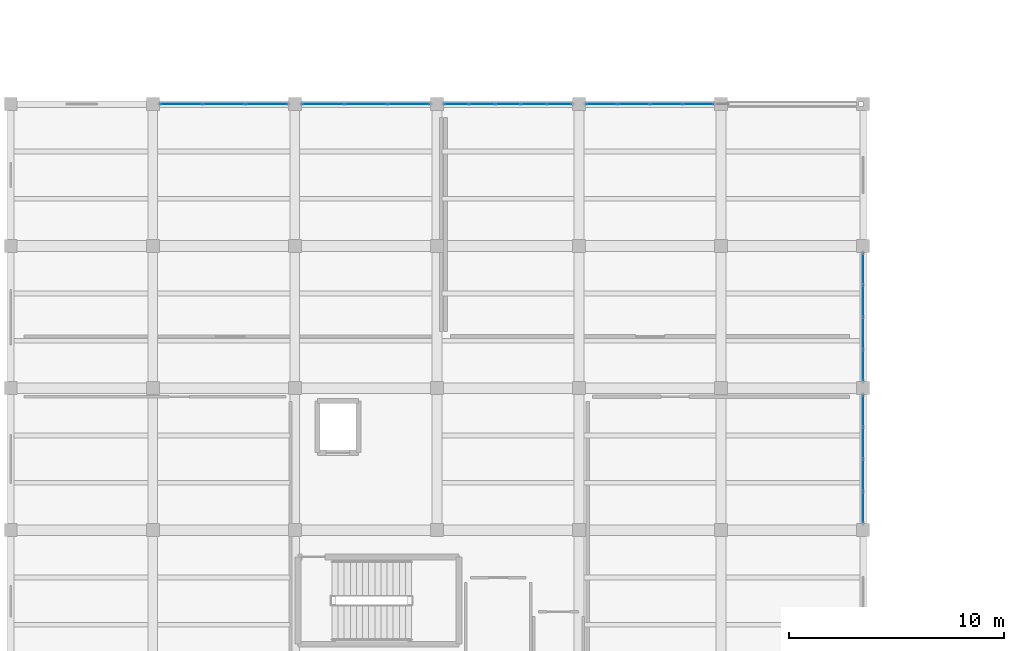
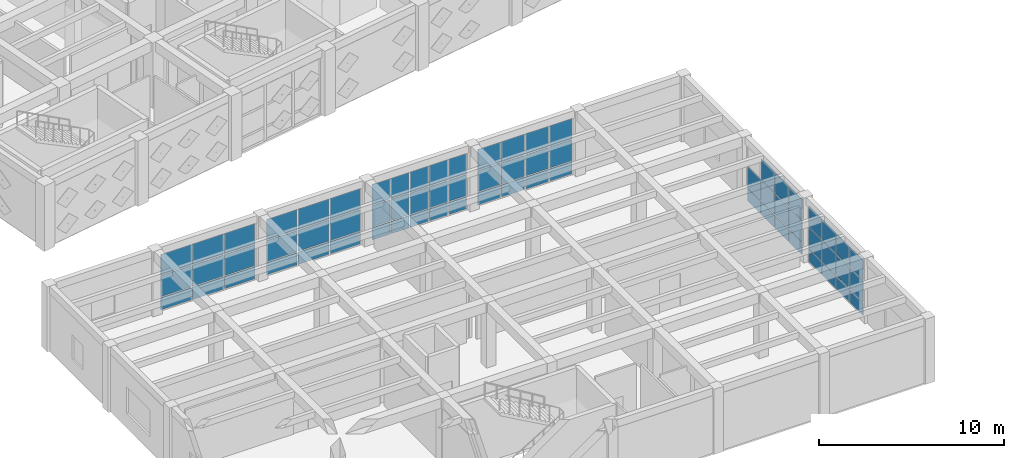
# One storey, part 52 of 80: 68 plates, 6 elements without a shape of their own.
"""IFC4 building model written with IfcOpenShell, lengths in metres."""

from ifc_helpers import new_model, si_unit, direction, frame, origin, origin_2d, place, context, subcontext, project, spatial, rectangle, extrude, material, layer, layer_set, type_object, element, aggregate, save


model = new_model("IFC4")

# Units and contexts
model_context = context("Model", 3, precision=1e-05, world=origin(), true_north=direction((0.0, 1.0)))
body_context = subcontext(model_context, "Body", "Model", "MODEL_VIEW")
ifc_project = project(units=[si_unit("LENGTHUNIT", "METRE"), si_unit("AREAUNIT", "SQUARE_METRE"), si_unit("VOLUMEUNIT", "CUBIC_METRE"), si_unit("PLANEANGLEUNIT", "RADIAN"), si_unit("MASSUNIT", "GRAM", prefix="KILO")], contexts=[model_context])

# Site, building, storey
site_placement = place(None, origin())
site = spatial("IfcSite", under=ifc_project, at=site_placement, CompositionType="ELEMENT")
building_placement = place(site_placement, origin())
building = spatial("IfcBuilding", under=site, at=building_placement, Name="Kharisveld Research Institute", CompositionType="ELEMENT")
storey_placement = place(building_placement, frame((0.0, 0.0, 5.10009765625)))
storey = spatial("IfcBuildingStorey", under=building, at=storey_placement, Name="L01", CompositionType="ELEMENT", Elevation=5.10009765625)

# Curtain wall, plates
ifc_material_1 = material(Name="Thermally Broken Aluminium Curtain Wall", Category="aluminium")
ifc_layer_1 = layer(ifc_material_1, 0.159912109375)
ifc_layer_set_1 = layer_set([ifc_layer_1], Name="CW_SYS_05")
curtain_wall_type_1 = type_object("IfcCurtainWallType", Name="CW_SYS_05", PredefinedType="NOTDEFINED", material=ifc_layer_set_1)
curtain_wall_1_placement = place(storey_placement, origin())
curtain_wall_1 = element("IfcCurtainWall", 1, at=curtain_wall_1_placement, inside=storey, type_object=curtain_wall_type_1, Name="CW:V3:L01:N1", PredefinedType="NOTDEFINED")
ifc_material_2 = material(Name="Low-E Double Glazing", Category="glass")
ifc_layer_2 = layer(ifc_material_2, 0.028076171875)
ifc_layer_set_2 = layer_set([ifc_layer_2], Name="CW_PNL_GLZ")
plate_type_1 = type_object("IfcPlateType", Name="CW_PNL_GLZ", PredefinedType="CURTAIN_PANEL", material=ifc_layer_set_2)
plate_1_placement = place(storey_placement, frame((8.512939453125, 26.60009765625, 0.059814453125), z_axis=(0.0, 0.0, 1.0), x_axis=(1.0, 0.0, 0.0)))
plate_1 = element("IfcPlate", 2, at=plate_1_placement, type_object=plate_type_1, Name="CW-05 panel 1.1", PredefinedType="CURTAIN_PANEL", context=body_context, shape_type="SweptSolid", body=[
    extrude(rectangle(XDim=1.90576171875, YDim=0.028076171875, at=origin_2d()), origin(), (0.0, 0.0, 1.0), 0.81005859375),
])
plate_2_placement = place(storey_placement, frame((8.512939453125, 26.60009765625, 0.93017578125), z_axis=(0.0, 0.0, 1.0), x_axis=(1.0, 0.0, 0.0)))
plate_2 = element("IfcPlate", 3, at=plate_2_placement, type_object=plate_type_1, Name="CW-05 panel 1.2", PredefinedType="CURTAIN_PANEL", context=body_context, shape_type="SweptSolid", body=[
    extrude(rectangle(XDim=1.90576171875, YDim=0.028076171875, at=origin_2d()), origin(), (0.0, 0.0, 1.0), 1.389892578125),
])
plate_3_placement = place(storey_placement, frame((8.512939453125, 26.60009765625, 2.3798828125), z_axis=(0.0, 0.0, 1.0), x_axis=(1.0, 0.0, 0.0)))
plate_3 = element("IfcPlate", 4, at=plate_3_placement, type_object=plate_type_1, Name="CW-05 panel 1.3", PredefinedType="CURTAIN_PANEL", context=body_context, shape_type="SweptSolid", body=[
    extrude(rectangle(XDim=1.90576171875, YDim=0.028076171875, at=origin_2d()), origin(), (0.0, 0.0, 1.0), 1.340087890625),
])
plate_4_placement = place(storey_placement, frame((10.5, 26.60009765625, 0.059814453125), z_axis=(0.0, 0.0, 1.0), x_axis=(1.0, 0.0, 0.0)))
plate_4 = element("IfcPlate", 5, at=plate_4_placement, type_object=plate_type_1, Name="CW-05 panel 2.1", PredefinedType="CURTAIN_PANEL", context=body_context, shape_type="SweptSolid", body=[
    extrude(rectangle(XDim=1.938232421875, YDim=0.028076171875, at=origin_2d()), origin(), (0.0, 0.0, 1.0), 0.81005859375),
])
plate_5_placement = place(storey_placement, frame((10.5, 26.60009765625, 0.93017578125), z_axis=(0.0, 0.0, 1.0), x_axis=(1.0, 0.0, 0.0)))
plate_5 = element("IfcPlate", 6, at=plate_5_placement, type_object=plate_type_1, Name="CW-05 panel 2.2", PredefinedType="CURTAIN_PANEL", context=body_context, shape_type="SweptSolid", body=[
    extrude(rectangle(XDim=1.938232421875, YDim=0.028076171875, at=origin_2d()), origin(), (0.0, 0.0, 1.0), 1.389892578125),
])
plate_6_placement = place(storey_placement, frame((10.5, 26.60009765625, 2.3798828125), z_axis=(0.0, 0.0, 1.0), x_axis=(1.0, 0.0, 0.0)))
plate_6 = element("IfcPlate", 7, at=plate_6_placement, type_object=plate_type_1, Name="CW-05 panel 2.3", PredefinedType="CURTAIN_PANEL", context=body_context, shape_type="SweptSolid", body=[
    extrude(rectangle(XDim=1.938232421875, YDim=0.028076171875, at=origin_2d()), origin(), (0.0, 0.0, 1.0), 1.340087890625),
])
plate_7_placement = place(storey_placement, frame((12.487060546875, 26.60009765625, 0.059814453125), z_axis=(0.0, 0.0, 1.0), x_axis=(1.0, 0.0, 0.0)))
plate_7 = element("IfcPlate", 8, at=plate_7_placement, type_object=plate_type_1, Name="CW-05 panel 3.1", PredefinedType="CURTAIN_PANEL", context=body_context, shape_type="SweptSolid", body=[
    extrude(rectangle(XDim=1.90576171875, YDim=0.028076171875, at=origin_2d()), origin(), (0.0, 0.0, 1.0), 0.81005859375),
])
plate_8_placement = place(storey_placement, frame((12.487060546875, 26.60009765625, 0.93017578125), z_axis=(0.0, 0.0, 1.0), x_axis=(1.0, 0.0, 0.0)))
plate_8 = element("IfcPlate", 9, at=plate_8_placement, type_object=plate_type_1, Name="CW-05 panel 3.2", PredefinedType="CURTAIN_PANEL", context=body_context, shape_type="SweptSolid", body=[
    extrude(rectangle(XDim=1.90576171875, YDim=0.028076171875, at=origin_2d()), origin(), (0.0, 0.0, 1.0), 1.389892578125),
])
plate_9_placement = place(storey_placement, frame((12.487060546875, 26.60009765625, 2.3798828125), z_axis=(0.0, 0.0, 1.0), x_axis=(1.0, 0.0, 0.0)))
plate_9 = element("IfcPlate", 10, at=plate_9_placement, type_object=plate_type_1, Name="CW-05 panel 3.3", PredefinedType="CURTAIN_PANEL", context=body_context, shape_type="SweptSolid", body=[
    extrude(rectangle(XDim=1.90576171875, YDim=0.028076171875, at=origin_2d()), origin(), (0.0, 0.0, 1.0), 1.340087890625),
])
aggregate(curtain_wall_1, [plate_1, plate_2, plate_3, plate_4, plate_5, plate_6, plate_7, plate_8, plate_9])

ifc_material_3 = material(Name="Thermally Broken Aluminium Curtain Wall", Category="aluminium")
ifc_layer_3 = layer(ifc_material_3, 0.159912109375)
ifc_layer_set_3 = layer_set([ifc_layer_3], Name="CW_SYS_06")
curtain_wall_type_2 = type_object("IfcCurtainWallType", Name="CW_SYS_06", PredefinedType="NOTDEFINED", material=ifc_layer_set_3)
curtain_wall_2_placement = place(storey_placement, origin())
curtain_wall_2 = element("IfcCurtainWall", 11, at=curtain_wall_2_placement, inside=storey, type_object=curtain_wall_type_2, Name="CW:V3:L01:N2", PredefinedType="NOTDEFINED")
plate_10_placement = place(storey_placement, frame((15.113037109375, 26.60009765625, 0.059814453125), z_axis=(0.0, 0.0, 1.0), x_axis=(1.0, 0.0, 0.0)))
plate_10 = element("IfcPlate", 12, at=plate_10_placement, type_object=plate_type_1, Name="CW-06 panel 1.1", PredefinedType="CURTAIN_PANEL", context=body_context, shape_type="SweptSolid", body=[
    extrude(rectangle(XDim=1.90576171875, YDim=0.028076171875, at=origin_2d()), origin(), (0.0, 0.0, 1.0), 0.81005859375),
])
plate_11_placement = place(storey_placement, frame((15.113037109375, 26.60009765625, 0.93017578125), z_axis=(0.0, 0.0, 1.0), x_axis=(1.0, 0.0, 0.0)))
plate_11 = element("IfcPlate", 13, at=plate_11_placement, type_object=plate_type_1, Name="CW-06 panel 1.2", PredefinedType="CURTAIN_PANEL", context=body_context, shape_type="SweptSolid", body=[
    extrude(rectangle(XDim=1.90576171875, YDim=0.028076171875, at=origin_2d()), origin(), (0.0, 0.0, 1.0), 1.389892578125),
])
plate_12_placement = place(storey_placement, frame((15.113037109375, 26.60009765625, 2.3798828125), z_axis=(0.0, 0.0, 1.0), x_axis=(1.0, 0.0, 0.0)))
plate_12 = element("IfcPlate", 14, at=plate_12_placement, type_object=plate_type_1, Name="CW-06 panel 1.3", PredefinedType="CURTAIN_PANEL", context=body_context, shape_type="SweptSolid", body=[
    extrude(rectangle(XDim=1.90576171875, YDim=0.028076171875, at=origin_2d()), origin(), (0.0, 0.0, 1.0), 1.340087890625),
])
plate_13_placement = place(storey_placement, frame((17.10009765625, 26.60009765625, 0.059814453125), z_axis=(0.0, 0.0, 1.0), x_axis=(1.0, 0.0, 0.0)))
plate_13 = element("IfcPlate", 15, at=plate_13_placement, type_object=plate_type_1, Name="CW-06 panel 2.1", PredefinedType="CURTAIN_PANEL", context=body_context, shape_type="SweptSolid", body=[
    extrude(rectangle(XDim=1.938232421875, YDim=0.028076171875, at=origin_2d()), origin(), (0.0, 0.0, 1.0), 0.81005859375),
])
plate_14_placement = place(storey_placement, frame((17.10009765625, 26.60009765625, 0.93017578125), z_axis=(0.0, 0.0, 1.0), x_axis=(1.0, 0.0, 0.0)))
plate_14 = element("IfcPlate", 16, at=plate_14_placement, type_object=plate_type_1, Name="CW-06 panel 2.2", PredefinedType="CURTAIN_PANEL", context=body_context, shape_type="SweptSolid", body=[
    extrude(rectangle(XDim=1.938232421875, YDim=0.028076171875, at=origin_2d()), origin(), (0.0, 0.0, 1.0), 1.389892578125),
])
plate_15_placement = place(storey_placement, frame((17.10009765625, 26.60009765625, 2.3798828125), z_axis=(0.0, 0.0, 1.0), x_axis=(1.0, 0.0, 0.0)))
plate_15 = element("IfcPlate", 17, at=plate_15_placement, type_object=plate_type_1, Name="CW-06 panel 2.3", PredefinedType="CURTAIN_PANEL", context=body_context, shape_type="SweptSolid", body=[
    extrude(rectangle(XDim=1.938232421875, YDim=0.028076171875, at=origin_2d()), origin(), (0.0, 0.0, 1.0), 1.340087890625),
])
plate_16_placement = place(storey_placement, frame((19.087158203125, 26.60009765625, 0.059814453125), z_axis=(0.0, 0.0, 1.0), x_axis=(1.0, 0.0, 0.0)))
plate_16 = element("IfcPlate", 18, at=plate_16_placement, type_object=plate_type_1, Name="CW-06 panel 3.1", PredefinedType="CURTAIN_PANEL", context=body_context, shape_type="SweptSolid", body=[
    extrude(rectangle(XDim=1.90576171875, YDim=0.028076171875, at=origin_2d()), origin(), (0.0, 0.0, 1.0), 0.81005859375),
])
plate_17_placement = place(storey_placement, frame((19.087158203125, 26.60009765625, 0.93017578125), z_axis=(0.0, 0.0, 1.0), x_axis=(1.0, 0.0, 0.0)))
plate_17 = element("IfcPlate", 19, at=plate_17_placement, type_object=plate_type_1, Name="CW-06 panel 3.2", PredefinedType="CURTAIN_PANEL", context=body_context, shape_type="SweptSolid", body=[
    extrude(rectangle(XDim=1.90576171875, YDim=0.028076171875, at=origin_2d()), origin(), (0.0, 0.0, 1.0), 1.389892578125),
])
plate_18_placement = place(storey_placement, frame((19.087158203125, 26.60009765625, 2.3798828125), z_axis=(0.0, 0.0, 1.0), x_axis=(1.0, 0.0, 0.0)))
plate_18 = element("IfcPlate", 20, at=plate_18_placement, type_object=plate_type_1, Name="CW-06 panel 3.3", PredefinedType="CURTAIN_PANEL", context=body_context, shape_type="SweptSolid", body=[
    extrude(rectangle(XDim=1.90576171875, YDim=0.028076171875, at=origin_2d()), origin(), (0.0, 0.0, 1.0), 1.340087890625),
])
aggregate(curtain_wall_2, [plate_10, plate_11, plate_12, plate_13, plate_14, plate_15, plate_16, plate_17, plate_18])

ifc_material_4 = material(Name="Thermally Broken Aluminium Curtain Wall", Category="aluminium")
ifc_layer_4 = layer(ifc_material_4, 0.159912109375)
ifc_layer_set_4 = layer_set([ifc_layer_4], Name="CW_SYS_01")
curtain_wall_type_3 = type_object("IfcCurtainWallType", Name="CW_SYS_01", PredefinedType="NOTDEFINED", material=ifc_layer_set_4)
curtain_wall_3_placement = place(storey_placement, origin())
curtain_wall_3 = element("IfcCurtainWall", 21, at=curtain_wall_3_placement, inside=storey, type_object=curtain_wall_type_3, Name="CW:V3:L01:N3", PredefinedType="NOTDEFINED")
plate_19_placement = place(storey_placement, frame((21.312255859375, 26.60009765625, 0.059814453125), z_axis=(0.0, 0.0, 1.0), x_axis=(1.0, 0.0, 0.0)))
plate_19 = element("IfcPlate", 22, at=plate_19_placement, type_object=plate_type_1, Name="CW-01 panel 1.1", PredefinedType="CURTAIN_PANEL", context=body_context, shape_type="SweptSolid", body=[
    extrude(rectangle(XDim=1.1044921875, YDim=0.028076171875, at=origin_2d()), origin(), (0.0, 0.0, 1.0), 0.81005859375),
])
plate_20_placement = place(storey_placement, frame((21.312255859375, 26.60009765625, 0.93017578125), z_axis=(0.0, 0.0, 1.0), x_axis=(1.0, 0.0, 0.0)))
plate_20 = element("IfcPlate", 23, at=plate_20_placement, type_object=plate_type_1, Name="CW-01 panel 1.2", PredefinedType="CURTAIN_PANEL", context=body_context, shape_type="SweptSolid", body=[
    extrude(rectangle(XDim=1.1044921875, YDim=0.028076171875, at=origin_2d()), origin(), (0.0, 0.0, 1.0), 1.389892578125),
])
plate_21_placement = place(storey_placement, frame((21.312255859375, 26.60009765625, 2.3798828125), z_axis=(0.0, 0.0, 1.0), x_axis=(1.0, 0.0, 0.0)))
plate_21 = element("IfcPlate", 24, at=plate_21_placement, type_object=plate_type_1, Name="CW-01 panel 1.3", PredefinedType="CURTAIN_PANEL", context=body_context, shape_type="SweptSolid", body=[
    extrude(rectangle(XDim=1.1044921875, YDim=0.028076171875, at=origin_2d()), origin(), (0.0, 0.0, 1.0), 1.340087890625),
])
plate_22_placement = place(storey_placement, frame((22.498046875, 26.60009765625, 0.059814453125), z_axis=(0.0, 0.0, 1.0), x_axis=(1.0, 0.0, 0.0)))
plate_22 = element("IfcPlate", 25, at=plate_22_placement, type_object=plate_type_1, Name="CW-01 panel 2.1", PredefinedType="CURTAIN_PANEL", context=body_context, shape_type="SweptSolid", body=[
    extrude(rectangle(XDim=1.136962890625, YDim=0.028076171875, at=origin_2d()), origin(), (0.0, 0.0, 1.0), 0.81005859375),
])
plate_23_placement = place(storey_placement, frame((22.498046875, 26.60009765625, 0.93017578125), z_axis=(0.0, 0.0, 1.0), x_axis=(1.0, 0.0, 0.0)))
plate_23 = element("IfcPlate", 26, at=plate_23_placement, type_object=plate_type_1, Name="CW-01 panel 2.2", PredefinedType="CURTAIN_PANEL", context=body_context, shape_type="SweptSolid", body=[
    extrude(rectangle(XDim=1.136962890625, YDim=0.028076171875, at=origin_2d()), origin(), (0.0, 0.0, 1.0), 1.389892578125),
])
plate_24_placement = place(storey_placement, frame((22.498046875, 26.60009765625, 2.3798828125), z_axis=(0.0, 0.0, 1.0), x_axis=(1.0, 0.0, 0.0)))
plate_24 = element("IfcPlate", 27, at=plate_24_placement, type_object=plate_type_1, Name="CW-01 panel 2.3", PredefinedType="CURTAIN_PANEL", context=body_context, shape_type="SweptSolid", body=[
    extrude(rectangle(XDim=1.136962890625, YDim=0.028076171875, at=origin_2d()), origin(), (0.0, 0.0, 1.0), 1.340087890625),
])
plate_25_placement = place(storey_placement, frame((23.699951171875, 26.60009765625, 0.059814453125), z_axis=(0.0, 0.0, 1.0), x_axis=(1.0, 0.0, 0.0)))
plate_25 = element("IfcPlate", 28, at=plate_25_placement, type_object=plate_type_1, Name="CW-01 panel 3.1", PredefinedType="CURTAIN_PANEL", context=body_context, shape_type="SweptSolid", body=[
    extrude(rectangle(XDim=1.136962890625, YDim=0.028076171875, at=origin_2d()), origin(), (0.0, 0.0, 1.0), 0.81005859375),
])
plate_26_placement = place(storey_placement, frame((23.699951171875, 26.60009765625, 0.93017578125), z_axis=(0.0, 0.0, 1.0), x_axis=(1.0, 0.0, 0.0)))
plate_26 = element("IfcPlate", 29, at=plate_26_placement, type_object=plate_type_1, Name="CW-01 panel 3.2", PredefinedType="CURTAIN_PANEL", context=body_context, shape_type="SweptSolid", body=[
    extrude(rectangle(XDim=1.136962890625, YDim=0.028076171875, at=origin_2d()), origin(), (0.0, 0.0, 1.0), 1.389892578125),
])
plate_27_placement = place(storey_placement, frame((23.699951171875, 26.60009765625, 2.3798828125), z_axis=(0.0, 0.0, 1.0), x_axis=(1.0, 0.0, 0.0)))
plate_27 = element("IfcPlate", 30, at=plate_27_placement, type_object=plate_type_1, Name="CW-01 panel 3.3", PredefinedType="CURTAIN_PANEL", context=body_context, shape_type="SweptSolid", body=[
    extrude(rectangle(XDim=1.136962890625, YDim=0.028076171875, at=origin_2d()), origin(), (0.0, 0.0, 1.0), 1.340087890625),
])
plate_28_placement = place(storey_placement, frame((24.902099609375, 26.60009765625, 0.059814453125), z_axis=(0.0, 0.0, 1.0), x_axis=(1.0, 0.0, 0.0)))
plate_28 = element("IfcPlate", 31, at=plate_28_placement, type_object=plate_type_1, Name="CW-01 panel 4.1", PredefinedType="CURTAIN_PANEL", context=body_context, shape_type="SweptSolid", body=[
    extrude(rectangle(XDim=1.136962890625, YDim=0.028076171875, at=origin_2d()), origin(), (0.0, 0.0, 1.0), 0.81005859375),
])
plate_29_placement = place(storey_placement, frame((24.902099609375, 26.60009765625, 0.93017578125), z_axis=(0.0, 0.0, 1.0), x_axis=(1.0, 0.0, 0.0)))
plate_29 = element("IfcPlate", 32, at=plate_29_placement, type_object=plate_type_1, Name="CW-01 panel 4.2", PredefinedType="CURTAIN_PANEL", context=body_context, shape_type="SweptSolid", body=[
    extrude(rectangle(XDim=1.136962890625, YDim=0.028076171875, at=origin_2d()), origin(), (0.0, 0.0, 1.0), 1.389892578125),
])
plate_30_placement = place(storey_placement, frame((24.902099609375, 26.60009765625, 2.3798828125), z_axis=(0.0, 0.0, 1.0), x_axis=(1.0, 0.0, 0.0)))
plate_30 = element("IfcPlate", 33, at=plate_30_placement, type_object=plate_type_1, Name="CW-01 panel 4.3", PredefinedType="CURTAIN_PANEL", context=body_context, shape_type="SweptSolid", body=[
    extrude(rectangle(XDim=1.136962890625, YDim=0.028076171875, at=origin_2d()), origin(), (0.0, 0.0, 1.0), 1.340087890625),
])
plate_31_placement = place(storey_placement, frame((26.087646484375, 26.60009765625, 0.059814453125), z_axis=(0.0, 0.0, 1.0), x_axis=(1.0, 0.0, 0.0)))
plate_31 = element("IfcPlate", 34, at=plate_31_placement, type_object=plate_type_1, Name="CW-01 panel 5.1", PredefinedType="CURTAIN_PANEL", context=body_context, shape_type="SweptSolid", body=[
    extrude(rectangle(XDim=1.1044921875, YDim=0.028076171875, at=origin_2d()), origin(), (0.0, 0.0, 1.0), 0.81005859375),
])
plate_32_placement = place(storey_placement, frame((26.087646484375, 26.60009765625, 0.93017578125), z_axis=(0.0, 0.0, 1.0), x_axis=(1.0, 0.0, 0.0)))
plate_32 = element("IfcPlate", 35, at=plate_32_placement, type_object=plate_type_1, Name="CW-01 panel 5.2", PredefinedType="CURTAIN_PANEL", context=body_context, shape_type="SweptSolid", body=[
    extrude(rectangle(XDim=1.1044921875, YDim=0.028076171875, at=origin_2d()), origin(), (0.0, 0.0, 1.0), 1.389892578125),
])
plate_33_placement = place(storey_placement, frame((26.087646484375, 26.60009765625, 2.3798828125), z_axis=(0.0, 0.0, 1.0), x_axis=(1.0, 0.0, 0.0)))
plate_33 = element("IfcPlate", 36, at=plate_33_placement, type_object=plate_type_1, Name="CW-01 panel 5.3", PredefinedType="CURTAIN_PANEL", context=body_context, shape_type="SweptSolid", body=[
    extrude(rectangle(XDim=1.1044921875, YDim=0.028076171875, at=origin_2d()), origin(), (0.0, 0.0, 1.0), 1.340087890625),
])
aggregate(curtain_wall_3, [plate_19, plate_20, plate_21, plate_22, plate_23, plate_24, plate_25, plate_26, plate_27, plate_28, plate_29, plate_30, plate_31, plate_32, plate_33])

ifc_material_5 = material(Name="Thermally Broken Aluminium Curtain Wall", Category="aluminium")
ifc_layer_5 = layer(ifc_material_5, 0.159912109375)
ifc_layer_set_5 = layer_set([ifc_layer_5], Name="CW_SYS_02")
curtain_wall_type_4 = type_object("IfcCurtainWallType", Name="CW_SYS_02", PredefinedType="NOTDEFINED", material=ifc_layer_set_5)
curtain_wall_4_placement = place(storey_placement, origin())
curtain_wall_4 = element("IfcCurtainWall", 37, at=curtain_wall_4_placement, inside=storey, type_object=curtain_wall_type_4, Name="CW:V3:L01:N4", PredefinedType="NOTDEFINED")
plate_34_placement = place(storey_placement, frame((28.0625, 26.60009765625, 0.059814453125), z_axis=(0.0, 0.0, 1.0), x_axis=(1.0, 0.0, 0.0)))
plate_34 = element("IfcPlate", 38, at=plate_34_placement, type_object=plate_type_1, Name="CW-02 panel 1.1", PredefinedType="CURTAIN_PANEL", context=body_context, shape_type="SweptSolid", body=[
    extrude(rectangle(XDim=1.405029296875, YDim=0.028076171875, at=origin_2d()), origin(), (0.0, 0.0, 1.0), 0.81005859375),
])
plate_35_placement = place(storey_placement, frame((28.0625, 26.60009765625, 0.93017578125), z_axis=(0.0, 0.0, 1.0), x_axis=(1.0, 0.0, 0.0)))
plate_35 = element("IfcPlate", 39, at=plate_35_placement, type_object=plate_type_1, Name="CW-02 panel 1.2", PredefinedType="CURTAIN_PANEL", context=body_context, shape_type="SweptSolid", body=[
    extrude(rectangle(XDim=1.405029296875, YDim=0.028076171875, at=origin_2d()), origin(), (0.0, 0.0, 1.0), 1.389892578125),
])
plate_36_placement = place(storey_placement, frame((28.0625, 26.60009765625, 2.3798828125), z_axis=(0.0, 0.0, 1.0), x_axis=(1.0, 0.0, 0.0)))
plate_36 = element("IfcPlate", 40, at=plate_36_placement, type_object=plate_type_1, Name="CW-02 panel 1.3", PredefinedType="CURTAIN_PANEL", context=body_context, shape_type="SweptSolid", body=[
    extrude(rectangle(XDim=1.405029296875, YDim=0.028076171875, at=origin_2d()), origin(), (0.0, 0.0, 1.0), 1.340087890625),
])
plate_37_placement = place(storey_placement, frame((29.548828125, 26.60009765625, 0.059814453125), z_axis=(0.0, 0.0, 1.0), x_axis=(1.0, 0.0, 0.0)))
plate_37 = element("IfcPlate", 41, at=plate_37_placement, type_object=plate_type_1, Name="CW-02 panel 2.1", PredefinedType="CURTAIN_PANEL", context=body_context, shape_type="SweptSolid", body=[
    extrude(rectangle(XDim=1.4375, YDim=0.028076171875, at=origin_2d()), origin(), (0.0, 0.0, 1.0), 0.81005859375),
])
plate_38_placement = place(storey_placement, frame((29.548828125, 26.60009765625, 0.93017578125), z_axis=(0.0, 0.0, 1.0), x_axis=(1.0, 0.0, 0.0)))
plate_38 = element("IfcPlate", 42, at=plate_38_placement, type_object=plate_type_1, Name="CW-02 panel 2.2", PredefinedType="CURTAIN_PANEL", context=body_context, shape_type="SweptSolid", body=[
    extrude(rectangle(XDim=1.4375, YDim=0.028076171875, at=origin_2d()), origin(), (0.0, 0.0, 1.0), 1.389892578125),
])
plate_39_placement = place(storey_placement, frame((29.548828125, 26.60009765625, 2.3798828125), z_axis=(0.0, 0.0, 1.0), x_axis=(1.0, 0.0, 0.0)))
plate_39 = element("IfcPlate", 43, at=plate_39_placement, type_object=plate_type_1, Name="CW-02 panel 2.3", PredefinedType="CURTAIN_PANEL", context=body_context, shape_type="SweptSolid", body=[
    extrude(rectangle(XDim=1.4375, YDim=0.028076171875, at=origin_2d()), origin(), (0.0, 0.0, 1.0), 1.340087890625),
])
plate_40_placement = place(storey_placement, frame((31.05126953125, 26.60009765625, 0.059814453125), z_axis=(0.0, 0.0, 1.0), x_axis=(1.0, 0.0, 0.0)))
plate_40 = element("IfcPlate", 44, at=plate_40_placement, type_object=plate_type_1, Name="CW-02 panel 3.1", PredefinedType="CURTAIN_PANEL", context=body_context, shape_type="SweptSolid", body=[
    extrude(rectangle(XDim=1.4375, YDim=0.028076171875, at=origin_2d()), origin(), (0.0, 0.0, 1.0), 0.81005859375),
])
plate_41_placement = place(storey_placement, frame((31.05126953125, 26.60009765625, 0.93017578125), z_axis=(0.0, 0.0, 1.0), x_axis=(1.0, 0.0, 0.0)))
plate_41 = element("IfcPlate", 45, at=plate_41_placement, type_object=plate_type_1, Name="CW-02 panel 3.2", PredefinedType="CURTAIN_PANEL", context=body_context, shape_type="SweptSolid", body=[
    extrude(rectangle(XDim=1.4375, YDim=0.028076171875, at=origin_2d()), origin(), (0.0, 0.0, 1.0), 1.389892578125),
])
plate_42_placement = place(storey_placement, frame((31.05126953125, 26.60009765625, 2.3798828125), z_axis=(0.0, 0.0, 1.0), x_axis=(1.0, 0.0, 0.0)))
plate_42 = element("IfcPlate", 46, at=plate_42_placement, type_object=plate_type_1, Name="CW-02 panel 3.3", PredefinedType="CURTAIN_PANEL", context=body_context, shape_type="SweptSolid", body=[
    extrude(rectangle(XDim=1.4375, YDim=0.028076171875, at=origin_2d()), origin(), (0.0, 0.0, 1.0), 1.340087890625),
])
plate_43_placement = place(storey_placement, frame((32.53759765625, 26.60009765625, 0.059814453125), z_axis=(0.0, 0.0, 1.0), x_axis=(1.0, 0.0, 0.0)))
plate_43 = element("IfcPlate", 47, at=plate_43_placement, type_object=plate_type_1, Name="CW-02 panel 4.1", PredefinedType="CURTAIN_PANEL", context=body_context, shape_type="SweptSolid", body=[
    extrude(rectangle(XDim=1.405029296875, YDim=0.028076171875, at=origin_2d()), origin(), (0.0, 0.0, 1.0), 0.81005859375),
])
plate_44_placement = place(storey_placement, frame((32.53759765625, 26.60009765625, 0.93017578125), z_axis=(0.0, 0.0, 1.0), x_axis=(1.0, 0.0, 0.0)))
plate_44 = element("IfcPlate", 48, at=plate_44_placement, type_object=plate_type_1, Name="CW-02 panel 4.2", PredefinedType="CURTAIN_PANEL", context=body_context, shape_type="SweptSolid", body=[
    extrude(rectangle(XDim=1.405029296875, YDim=0.028076171875, at=origin_2d()), origin(), (0.0, 0.0, 1.0), 1.389892578125),
])
plate_45_placement = place(storey_placement, frame((32.53759765625, 26.60009765625, 2.3798828125), z_axis=(0.0, 0.0, 1.0), x_axis=(1.0, 0.0, 0.0)))
plate_45 = element("IfcPlate", 49, at=plate_45_placement, type_object=plate_type_1, Name="CW-02 panel 4.3", PredefinedType="CURTAIN_PANEL", context=body_context, shape_type="SweptSolid", body=[
    extrude(rectangle(XDim=1.405029296875, YDim=0.028076171875, at=origin_2d()), origin(), (0.0, 0.0, 1.0), 1.340087890625),
])
aggregate(curtain_wall_4, [plate_34, plate_35, plate_36, plate_37, plate_38, plate_39, plate_40, plate_41, plate_42, plate_43, plate_44, plate_45])

ifc_material_6 = material(Name="Thermally Broken Aluminium Curtain Wall", Category="aluminium")
ifc_layer_6 = layer(ifc_material_6, 0.159912109375)
ifc_layer_set_6 = layer_set([ifc_layer_6], Name="CW_SYS_04")
curtain_wall_type_5 = type_object("IfcCurtainWallType", Name="CW_SYS_04", PredefinedType="NOTDEFINED", material=ifc_layer_set_6)
curtain_wall_5_placement = place(storey_placement, origin())
curtain_wall_5 = element("IfcCurtainWall", 50, at=curtain_wall_5_placement, inside=storey, type_object=curtain_wall_type_5, Name="CW:V3:L01:E2", PredefinedType="NOTDEFINED")
plate_46_placement = place(storey_placement, frame((40.199951171875, 12.33740234375, 0.059814453125), z_axis=(0.0, 0.0, 1.0), x_axis=(0.0, -1.0, 0.0)))
plate_46 = element("IfcPlate", 51, at=plate_46_placement, type_object=plate_type_1, Name="CW-04 panel 1.1", PredefinedType="CURTAIN_PANEL", context=body_context, shape_type="SweptSolid", body=[
    extrude(rectangle(XDim=1.405029296875, YDim=0.028076171875, at=origin_2d()), origin(), (0.0, 0.0, 1.0), 0.81005859375),
])
plate_47_placement = place(storey_placement, frame((40.199951171875, 12.33740234375, 0.93017578125), z_axis=(0.0, 0.0, 1.0), x_axis=(0.0, -1.0, 0.0)))
plate_47 = element("IfcPlate", 52, at=plate_47_placement, type_object=plate_type_1, Name="CW-04 panel 1.2", PredefinedType="CURTAIN_PANEL", context=body_context, shape_type="SweptSolid", body=[
    extrude(rectangle(XDim=1.405029296875, YDim=0.028076171875, at=origin_2d()), origin(), (0.0, 0.0, 1.0), 1.389892578125),
])
plate_48_placement = place(storey_placement, frame((40.199951171875, 12.33740234375, 2.3798828125), z_axis=(0.0, 0.0, 1.0), x_axis=(0.0, -1.0, 0.0)))
plate_48 = element("IfcPlate", 53, at=plate_48_placement, type_object=plate_type_1, Name="CW-04 panel 1.3", PredefinedType="CURTAIN_PANEL", context=body_context, shape_type="SweptSolid", body=[
    extrude(rectangle(XDim=1.405029296875, YDim=0.028076171875, at=origin_2d()), origin(), (0.0, 0.0, 1.0), 1.340087890625),
])
plate_49_placement = place(storey_placement, frame((40.199951171875, 10.851318359375, 0.059814453125), z_axis=(0.0, 0.0, 1.0), x_axis=(0.0, -1.0, 0.0)))
plate_49 = element("IfcPlate", 54, at=plate_49_placement, type_object=plate_type_1, Name="CW-04 panel 2.1", PredefinedType="CURTAIN_PANEL", context=body_context, shape_type="SweptSolid", body=[
    extrude(rectangle(XDim=1.4375, YDim=0.028076171875, at=origin_2d()), origin(), (0.0, 0.0, 1.0), 0.81005859375),
])
plate_50_placement = place(storey_placement, frame((40.199951171875, 10.851318359375, 0.93017578125), z_axis=(0.0, 0.0, 1.0), x_axis=(0.0, -1.0, 0.0)))
plate_50 = element("IfcPlate", 55, at=plate_50_placement, type_object=plate_type_1, Name="CW-04 panel 2.2", PredefinedType="CURTAIN_PANEL", context=body_context, shape_type="SweptSolid", body=[
    extrude(rectangle(XDim=1.4375, YDim=0.028076171875, at=origin_2d()), origin(), (0.0, 0.0, 1.0), 1.389892578125),
])
plate_51_placement = place(storey_placement, frame((40.199951171875, 10.851318359375, 2.3798828125), z_axis=(0.0, 0.0, 1.0), x_axis=(0.0, -1.0, 0.0)))
plate_51 = element("IfcPlate", 56, at=plate_51_placement, type_object=plate_type_1, Name="CW-04 panel 2.3", PredefinedType="CURTAIN_PANEL", context=body_context, shape_type="SweptSolid", body=[
    extrude(rectangle(XDim=1.4375, YDim=0.028076171875, at=origin_2d()), origin(), (0.0, 0.0, 1.0), 1.340087890625),
])
plate_52_placement = place(storey_placement, frame((40.199951171875, 9.3486328125, 0.059814453125), z_axis=(0.0, 0.0, 1.0), x_axis=(0.0, -1.0, 0.0)))
plate_52 = element("IfcPlate", 57, at=plate_52_placement, type_object=plate_type_1, Name="CW-04 panel 3.1", PredefinedType="CURTAIN_PANEL", context=body_context, shape_type="SweptSolid", body=[
    extrude(rectangle(XDim=1.4375, YDim=0.028076171875, at=origin_2d()), origin(), (0.0, 0.0, 1.0), 0.81005859375),
])
plate_53_placement = place(storey_placement, frame((40.199951171875, 9.3486328125, 0.93017578125), z_axis=(0.0, 0.0, 1.0), x_axis=(0.0, -1.0, 0.0)))
plate_53 = element("IfcPlate", 58, at=plate_53_placement, type_object=plate_type_1, Name="CW-04 panel 3.2", PredefinedType="CURTAIN_PANEL", context=body_context, shape_type="SweptSolid", body=[
    extrude(rectangle(XDim=1.4375, YDim=0.028076171875, at=origin_2d()), origin(), (0.0, 0.0, 1.0), 1.389892578125),
])
plate_54_placement = place(storey_placement, frame((40.199951171875, 9.3486328125, 2.3798828125), z_axis=(0.0, 0.0, 1.0), x_axis=(0.0, -1.0, 0.0)))
plate_54 = element("IfcPlate", 59, at=plate_54_placement, type_object=plate_type_1, Name="CW-04 panel 3.3", PredefinedType="CURTAIN_PANEL", context=body_context, shape_type="SweptSolid", body=[
    extrude(rectangle(XDim=1.4375, YDim=0.028076171875, at=origin_2d()), origin(), (0.0, 0.0, 1.0), 1.340087890625),
])
plate_55_placement = place(storey_placement, frame((40.199951171875, 7.862548828125, 0.059814453125), z_axis=(0.0, 0.0, 1.0), x_axis=(0.0, -1.0, 0.0)))
plate_55 = element("IfcPlate", 60, at=plate_55_placement, type_object=plate_type_1, Name="CW-04 panel 4.1", PredefinedType="CURTAIN_PANEL", context=body_context, shape_type="SweptSolid", body=[
    extrude(rectangle(XDim=1.405029296875, YDim=0.028076171875, at=origin_2d()), origin(), (0.0, 0.0, 1.0), 0.81005859375),
])
plate_56_placement = place(storey_placement, frame((40.199951171875, 7.862548828125, 0.93017578125), z_axis=(0.0, 0.0, 1.0), x_axis=(0.0, -1.0, 0.0)))
plate_56 = element("IfcPlate", 61, at=plate_56_placement, type_object=plate_type_1, Name="CW-04 panel 4.2", PredefinedType="CURTAIN_PANEL", context=body_context, shape_type="SweptSolid", body=[
    extrude(rectangle(XDim=1.405029296875, YDim=0.028076171875, at=origin_2d()), origin(), (0.0, 0.0, 1.0), 1.389892578125),
])
plate_57_placement = place(storey_placement, frame((40.199951171875, 7.862548828125, 2.3798828125), z_axis=(0.0, 0.0, 1.0), x_axis=(0.0, -1.0, 0.0)))
plate_57 = element("IfcPlate", 62, at=plate_57_placement, type_object=plate_type_1, Name="CW-04 panel 4.3", PredefinedType="CURTAIN_PANEL", context=body_context, shape_type="SweptSolid", body=[
    extrude(rectangle(XDim=1.405029296875, YDim=0.028076171875, at=origin_2d()), origin(), (0.0, 0.0, 1.0), 1.340087890625),
])
aggregate(curtain_wall_5, [plate_46, plate_47, plate_48, plate_49, plate_50, plate_51, plate_52, plate_53, plate_54, plate_55, plate_56, plate_57])

ifc_material_7 = material(Name="Thermally Broken Aluminium Curtain Wall", Category="aluminium")
ifc_layer_7 = layer(ifc_material_7, 0.159912109375)
ifc_layer_set_7 = layer_set([ifc_layer_7], Name="CW_SYS_03")
curtain_wall_type_6 = type_object("IfcCurtainWallType", Name="CW_SYS_03", PredefinedType="NOTDEFINED", material=ifc_layer_set_7)
curtain_wall_6_placement = place(storey_placement, origin())
curtain_wall_6 = element("IfcCurtainWall", 63, at=curtain_wall_6_placement, inside=storey, type_object=curtain_wall_type_6, Name="CW:V3:L01:E3", PredefinedType="NOTDEFINED")
ifc_material_8 = material(Name="Insulated Spandrel Glazing", Category="glass")
ifc_layer_8 = layer(ifc_material_8, 0.035888671875)
ifc_layer_set_8 = layer_set([ifc_layer_8], Name="CW_PNL_SPD")
plate_type_2 = type_object("IfcPlateType", Name="CW_PNL_SPD", PredefinedType="CURTAIN_PANEL", material=ifc_layer_set_8)
plate_58_placement = place(storey_placement, frame((40.199951171875, 18.9375, 0.059814453125), z_axis=(0.0, 0.0, 1.0), x_axis=(0.0, -1.0, 0.0)))
plate_58 = element("IfcPlate", 64, at=plate_58_placement, type_object=plate_type_2, Name="CW-03 panel 1.1", PredefinedType="CURTAIN_PANEL", context=body_context, shape_type="SweptSolid", body=[
    extrude(rectangle(XDim=1.405029296875, YDim=0.035888671875, at=origin_2d()), origin(), (0.0, 0.0, 1.0), 0.81005859375),
])
plate_59_placement = place(storey_placement, frame((40.199951171875, 18.9375, 0.93017578125), z_axis=(0.0, 0.0, 1.0), x_axis=(0.0, -1.0, 0.0)))
plate_59 = element("IfcPlate", 65, at=plate_59_placement, type_object=plate_type_2, Name="CW-03 panel 1.2", PredefinedType="CURTAIN_PANEL", context=body_context, shape_type="SweptSolid", body=[
    extrude(rectangle(XDim=1.405029296875, YDim=0.035888671875, at=origin_2d()), origin(), (0.0, 0.0, 1.0), 1.389892578125),
])
plate_60_placement = place(storey_placement, frame((40.199951171875, 17.451171875, 0.059814453125), z_axis=(0.0, 0.0, 1.0), x_axis=(0.0, -1.0, 0.0)))
plate_60 = element("IfcPlate", 66, at=plate_60_placement, type_object=plate_type_2, Name="CW-03 panel 2.1", PredefinedType="CURTAIN_PANEL", context=body_context, shape_type="SweptSolid", body=[
    extrude(rectangle(XDim=1.4375, YDim=0.035888671875, at=origin_2d()), origin(), (0.0, 0.0, 1.0), 0.81005859375),
])
plate_61_placement = place(storey_placement, frame((40.199951171875, 17.451171875, 0.93017578125), z_axis=(0.0, 0.0, 1.0), x_axis=(0.0, -1.0, 0.0)))
plate_61 = element("IfcPlate", 67, at=plate_61_placement, type_object=plate_type_2, Name="CW-03 panel 2.2", PredefinedType="CURTAIN_PANEL", context=body_context, shape_type="SweptSolid", body=[
    extrude(rectangle(XDim=1.4375, YDim=0.035888671875, at=origin_2d()), origin(), (0.0, 0.0, 1.0), 1.389892578125),
])
plate_62_placement = place(storey_placement, frame((40.199951171875, 17.451171875, 2.3798828125), z_axis=(0.0, 0.0, 1.0), x_axis=(0.0, -1.0, 0.0)))
plate_62 = element("IfcPlate", 68, at=plate_62_placement, type_object=plate_type_2, Name="CW-03 panel 2.3", PredefinedType="CURTAIN_PANEL", context=body_context, shape_type="SweptSolid", body=[
    extrude(rectangle(XDim=1.4375, YDim=0.035888671875, at=origin_2d()), origin(), (0.0, 0.0, 1.0), 1.340087890625),
])
plate_63_placement = place(storey_placement, frame((40.199951171875, 15.94873046875, 0.059814453125), z_axis=(0.0, 0.0, 1.0), x_axis=(0.0, -1.0, 0.0)))
plate_63 = element("IfcPlate", 69, at=plate_63_placement, type_object=plate_type_2, Name="CW-03 panel 3.1", PredefinedType="CURTAIN_PANEL", context=body_context, shape_type="SweptSolid", body=[
    extrude(rectangle(XDim=1.4375, YDim=0.035888671875, at=origin_2d()), origin(), (0.0, 0.0, 1.0), 0.81005859375),
])
plate_64_placement = place(storey_placement, frame((40.199951171875, 15.94873046875, 0.93017578125), z_axis=(0.0, 0.0, 1.0), x_axis=(0.0, -1.0, 0.0)))
plate_64 = element("IfcPlate", 70, at=plate_64_placement, type_object=plate_type_2, Name="CW-03 panel 3.2", PredefinedType="CURTAIN_PANEL", context=body_context, shape_type="SweptSolid", body=[
    extrude(rectangle(XDim=1.4375, YDim=0.035888671875, at=origin_2d()), origin(), (0.0, 0.0, 1.0), 1.389892578125),
])
plate_65_placement = place(storey_placement, frame((40.199951171875, 15.94873046875, 2.3798828125), z_axis=(0.0, 0.0, 1.0), x_axis=(0.0, -1.0, 0.0)))
plate_65 = element("IfcPlate", 71, at=plate_65_placement, type_object=plate_type_2, Name="CW-03 panel 3.3", PredefinedType="CURTAIN_PANEL", context=body_context, shape_type="SweptSolid", body=[
    extrude(rectangle(XDim=1.4375, YDim=0.035888671875, at=origin_2d()), origin(), (0.0, 0.0, 1.0), 1.340087890625),
])
plate_66_placement = place(storey_placement, frame((40.199951171875, 14.46240234375, 0.059814453125), z_axis=(0.0, 0.0, 1.0), x_axis=(0.0, -1.0, 0.0)))
plate_66 = element("IfcPlate", 72, at=plate_66_placement, type_object=plate_type_2, Name="CW-03 panel 4.1", PredefinedType="CURTAIN_PANEL", context=body_context, shape_type="SweptSolid", body=[
    extrude(rectangle(XDim=1.405029296875, YDim=0.035888671875, at=origin_2d()), origin(), (0.0, 0.0, 1.0), 0.81005859375),
])
plate_67_placement = place(storey_placement, frame((40.199951171875, 14.46240234375, 0.93017578125), z_axis=(0.0, 0.0, 1.0), x_axis=(0.0, -1.0, 0.0)))
plate_67 = element("IfcPlate", 73, at=plate_67_placement, type_object=plate_type_2, Name="CW-03 panel 4.2", PredefinedType="CURTAIN_PANEL", context=body_context, shape_type="SweptSolid", body=[
    extrude(rectangle(XDim=1.405029296875, YDim=0.035888671875, at=origin_2d()), origin(), (0.0, 0.0, 1.0), 1.389892578125),
])
plate_68_placement = place(storey_placement, frame((40.199951171875, 14.46240234375, 2.3798828125), z_axis=(0.0, 0.0, 1.0), x_axis=(0.0, -1.0, 0.0)))
plate_68 = element("IfcPlate", 74, at=plate_68_placement, type_object=plate_type_2, Name="CW-03 panel 4.3", PredefinedType="CURTAIN_PANEL", context=body_context, shape_type="SweptSolid", body=[
    extrude(rectangle(XDim=1.405029296875, YDim=0.035888671875, at=origin_2d()), origin(), (0.0, 0.0, 1.0), 1.340087890625),
])
aggregate(curtain_wall_6, [plate_58, plate_59, plate_60, plate_61, plate_62, plate_63, plate_64, plate_65, plate_66, plate_67, plate_68])

save(model, "model.ifc")
